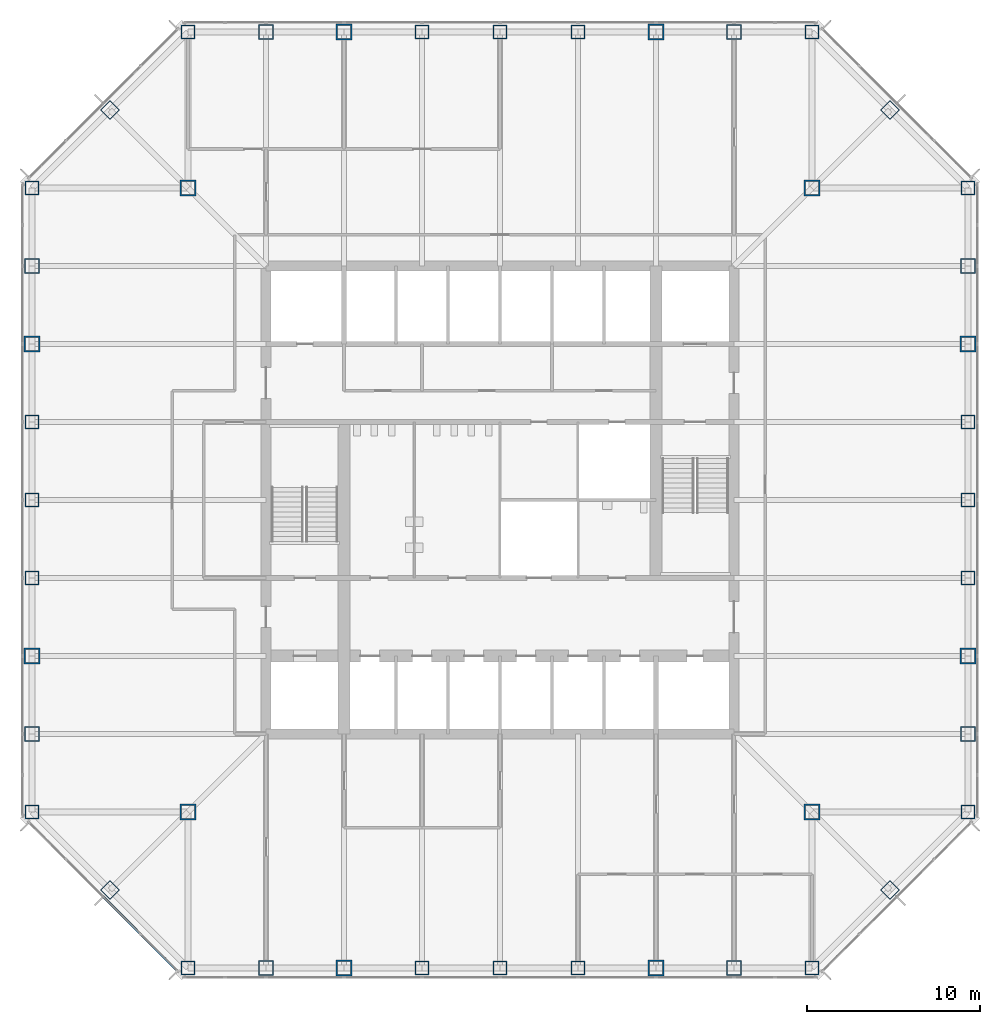
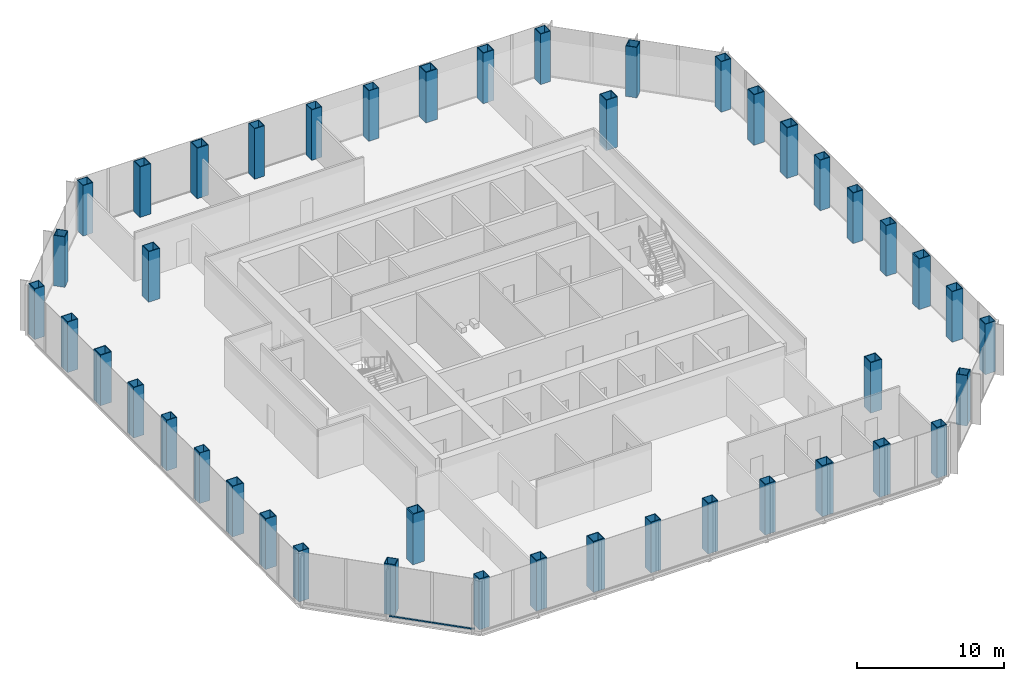
# One storey, part 1 of 12: 44 columns, 2 members, 1 element without a shape of its own.
"""IFC4 building model written with IfcOpenShell, lengths in metres."""

import ifcopenshell
import ifcopenshell.guid

model = None  # the IFC model being written
_history = None  # IfcOwnerHistory: only IFC2X3 demands one
_inside = {}  # id of a spatial element -> (the spatial element, [elements in it])
_under = {}  # id of a project, library or spatial element -> (it, [spatial elements below it])
_declared = {}  # id of a project -> (the project, [libraries it declares])
_typed = {}  # id of a type object -> (the type object, [elements of that type])
_made_of = {}  # id of a material, layer set ... -> (it, [elements and type objects made of it])


def new_model(schema):
    """Start an empty IFC model of exactly this schema.

    Asked for "IFC4X3", IfcOpenShell would pick the latest addendum, in which some entities
    have other attributes; the version numbers below select the first issue.
    IFC2X3 requires an IfcOwnerHistory on every rooted entity: one is made here for all.
    """
    global model, _history
    if schema == "IFC4X3":
        model = ifcopenshell.file(schema_version=(4, 3, 0, 0))
    else:
        model = ifcopenshell.file(schema=schema)
    _inside.clear()
    _under.clear()
    _declared.clear()
    _typed.clear()
    _made_of.clear()
    _history = None
    if model.schema == "IFC2X3":
        org = make("IfcOrganization", Name="unknown")
        user = make(
            "IfcPersonAndOrganization",
            ThePerson=make("IfcPerson", FamilyName="unknown"),
            TheOrganization=org,
        )
        app = make(
            "IfcApplication",
            ApplicationDeveloper=org,
            Version="unknown",
            ApplicationFullName="unknown",
            ApplicationIdentifier="unknown",
        )
        _history = make(
            "IfcOwnerHistory",
            OwningUser=user,
            OwningApplication=app,
            ChangeAction="ADDED",
            CreationDate=0,
        )
    return model


def make(cls, **values):
    """One entity of the class cls with the attributes given. An attribute that is None is left unset."""
    return model.create_entity(
        cls, **{name: value for name, value in values.items() if value is not None}
    )


def rooted(cls, **values):
    """An entity with a GlobalId (a new one), such as an element, a storey or a relation."""
    return make(cls, GlobalId=ifcopenshell.guid.new(), OwnerHistory=_history, **values)


def si_unit(unit_type, name, prefix=None):
    """IfcSIUnit, for example si_unit("LENGTHUNIT", "METRE", prefix="MILLI")."""
    return make("IfcSIUnit", UnitType=unit_type, Prefix=prefix, Name=name)


def assignment(units):
    """IfcUnitAssignment: the units of a project."""
    return None if units is None else make("IfcUnitAssignment", Units=units)


def point(xyz):
    """IfcCartesianPoint."""
    return None if xyz is None else make("IfcCartesianPoint", Coordinates=xyz)


def direction(xyz):
    """IfcDirection."""
    return None if xyz is None else make("IfcDirection", DirectionRatios=xyz)


def frame(location, z_axis=None, x_axis=None):
    """IfcAxis2Placement3D, a coordinate frame: its origin and axes. An axis left out is left unset."""
    return make(
        "IfcAxis2Placement3D",
        Location=point(location),
        Axis=direction(z_axis),
        RefDirection=direction(x_axis),
    )


def frame_2d(location, x_axis=None):
    """IfcAxis2Placement2D, a coordinate frame in the plane: its origin and x axis."""
    return make(
        "IfcAxis2Placement2D", Location=point(location), RefDirection=direction(x_axis)
    )


def origin():
    """The frame at (0, 0, 0) with its axes left unset."""
    return frame((0.0, 0.0, 0.0))


def origin_2d():
    """The frame at (0, 0) in the plane with its x axis left unset."""
    return frame_2d((0.0, 0.0))


def place(relative_to, where):
    """IfcLocalPlacement: puts the frame where relative to a parent placement (None: the world)."""
    return make(
        "IfcLocalPlacement", PlacementRelTo=relative_to, RelativePlacement=where
    )


def context(
    kind, dimensions, precision=None, world=None, true_north=None, identifier=None
):
    """IfcGeometricRepresentationContext, for example the 3D "Model" context."""
    return make(
        "IfcGeometricRepresentationContext",
        ContextIdentifier=identifier,
        ContextType=kind,
        CoordinateSpaceDimension=dimensions,
        Precision=precision,
        WorldCoordinateSystem=world,
        TrueNorth=true_north,
    )


def subcontext(parent, identifier, kind, view, scale=None):
    """IfcGeometricRepresentationSubContext, for example "Body" below "Model"."""
    return make(
        "IfcGeometricRepresentationSubContext",
        ContextIdentifier=identifier,
        ContextType=kind,
        ParentContext=parent,
        TargetScale=scale,
        TargetView=view,
    )


def project(units=None, contexts=None):
    """IfcProject with its units and contexts."""
    return rooted(
        "IfcProject",
        Name="project",
        RepresentationContexts=contexts,
        UnitsInContext=assignment(units),
    )


def spatial(cls, under=None, at=None, **own):
    """A site, building, storey or space (cls), placed at a placement, below another one or the project."""
    s = rooted(cls, ObjectPlacement=at, **own)
    if under is not None:
        _under.setdefault(under.id(), (under, []))[1].append(s)
    return s


def profile(cls, at=None, kind="AREA", **sizes):
    """A parametric profile (cls). Its sizes go by their IFC names, for example OverallWidth=200.0."""
    return make(cls, ProfileType=kind, Position=at, **sizes)


def rectangle(**sizes):
    """IfcRectangleProfileDef."""
    return profile("IfcRectangleProfileDef", **sizes)


def hollow_rectangle(**sizes):
    """IfcRectangleHollowProfileDef."""
    return profile("IfcRectangleHollowProfileDef", **sizes)


def extrude(swept, where, along, depth):
    """IfcExtrudedAreaSolid: the profile swept, set in the frame where, extruded along a direction by depth."""
    return make(
        "IfcExtrudedAreaSolid",
        SweptArea=swept,
        Position=where,
        ExtrudedDirection=direction(along),
        Depth=depth,
    )


def shape(context_of_items, identifier, shape_type, items):
    """IfcShapeRepresentation: the items that make up one representation, for example the "Body"."""
    return make(
        "IfcShapeRepresentation",
        ContextOfItems=context_of_items,
        RepresentationIdentifier=identifier,
        RepresentationType=shape_type,
        Items=items,
    )


def material(Name=None, Category=None):
    """IfcMaterial."""
    return make("IfcMaterial", Name=Name, Category=Category)


def material_profile(
    of_material, cross_section, Name=None, Category=None, Priority=None
):
    """IfcMaterialProfile: a cross section and its material."""
    return make(
        "IfcMaterialProfile",
        Name=Name,
        Material=of_material,
        Profile=cross_section,
        Priority=Priority,
        Category=Category,
    )


def profile_set(profiles, Name=None, composite=None):
    """IfcMaterialProfileSet."""
    return make(
        "IfcMaterialProfileSet",
        Name=Name,
        MaterialProfiles=profiles,
        CompositeProfile=composite,
    )


def made_of(thing, what):
    """Note that an element or type object is made of a material, layer set ...; save() writes the relation."""
    if what is not None:
        _made_of.setdefault(what.id(), (what, []))[1].append(thing)
    return thing


def type_object(cls, material=None, **own):
    """A type object (cls), such as IfcWallType, which elements share."""
    return made_of(rooted(cls, **own), material)


def element(
    cls,
    number,
    at=None,
    inside=None,
    cuts=None,
    type_object=None,
    material=None,
    context=None,
    identifier="Body",
    shape_type=None,
    held_by="IfcProductDefinitionShape",
    body=None,
    shapes=None,
    **own,
):
    """One element of the class cls, such as IfcWall. Its Tag is "e" and its number.

    at: its placement. inside: the storey or other place that contains it. cuts: it is an
    opening in that element (IfcRelVoidsElement). A single representation is given by context,
    identifier, shape_type and body (its items); several are given by shapes. held_by: the class
    of the entity that holds the representations. save() writes the other relations.
    """
    e = rooted(cls, Tag="e%d" % number, ObjectPlacement=at, **own)
    if body is not None:
        shapes = [shape(context, identifier, shape_type, body)]
    if shapes is not None:
        e.Representation = make(held_by, Representations=shapes)
    if inside is not None:
        _inside.setdefault(inside.id(), (inside, []))[1].append(e)
    if cuts is not None:
        rooted(
            "IfcRelVoidsElement", RelatingBuildingElement=cuts, RelatedOpeningElement=e
        )
    if type_object is not None:
        _typed.setdefault(type_object.id(), (type_object, []))[1].append(e)
    return made_of(e, material)


def aggregate(whole, parts):
    """IfcRelAggregates: a whole, such as a stair, and the parts it consists of."""
    return rooted("IfcRelAggregates", RelatingObject=whole, RelatedObjects=parts)


def save(model, path):
    """Write the relations noted so far, then the file.

    IfcRelAggregates (storeys below a building ...), IfcRelContainedInSpatialStructure (elements
    in a storey), IfcRelDefinesByType, IfcRelAssociatesMaterial and IfcRelDeclares: one each for
    every whole, place, type object, material and project.
    """
    for whole, parts in _under.values():
        aggregate(whole, parts)
    for where, things in _inside.values():
        rooted(
            "IfcRelContainedInSpatialStructure",
            RelatedElements=things,
            RelatingStructure=where,
        )
    for kind, things in _typed.values():
        rooted("IfcRelDefinesByType", RelatedObjects=things, RelatingType=kind)
    for what, things in _made_of.values():
        rooted("IfcRelAssociatesMaterial", RelatedObjects=things, RelatingMaterial=what)
    for by, libraries in _declared.values():
        rooted("IfcRelDeclares", RelatingContext=by, RelatedDefinitions=libraries)
    model.write(path)


model = new_model("IFC4")

# Units and contexts
model_context = context("Model", 3, precision=1e-05, world=origin(), true_north=direction((0.0, 1.0)))
body_context = subcontext(model_context, "Body", "Model", "MODEL_VIEW")
ifc_project = project(units=[si_unit("LENGTHUNIT", "METRE"), si_unit("AREAUNIT", "SQUARE_METRE"), si_unit("VOLUMEUNIT", "CUBIC_METRE"), si_unit("PLANEANGLEUNIT", "RADIAN"), si_unit("MASSUNIT", "GRAM", prefix="KILO")], contexts=[model_context])

# Site, building, storey
site_placement = place(None, origin())
site = spatial("IfcSite", under=ifc_project, at=site_placement, CompositionType="ELEMENT")
building_placement = place(site_placement, origin())
building = spatial("IfcBuilding", under=site, at=building_placement, Name="Corais Broadcast Tower", CompositionType="ELEMENT")
storey_placement = place(building_placement, frame((0.0, 0.0, 45.800048828125)))
storey = spatial("IfcBuildingStorey", under=building, at=storey_placement, Name="L09", CompositionType="ELEMENT", Elevation=45.800048828125)

# Columns
ifc_material_1 = material(Name="Steel ASTM A572 Grade 50", Category="steel")
ifc_material_profile_1 = material_profile(ifc_material_1, hollow_rectangle(XDim=0.800048828125, YDim=0.800048828125, WallThickness=0.044921875, at=origin_2d()), Name="BOX 800x800x45")
ifc_profile_set_1 = profile_set([ifc_material_profile_1], Name="Steel ASTM A572 Grade 50")
column_type_1 = type_object("IfcColumnType", Name="Column BOX 800x800x45", PredefinedType="COLUMN", material=ifc_profile_set_1)
for number, where, z_axis, x_axis, name in (
    (1, (9.0, 0.0, 0.0), (0.0, 0.0, 1.0), (1.0, 0.0, 0.0), "C3 A/5"),
    (2, (22.5, 0.0, 0.0), (0.0, 0.0, 1.0), (1.0, 0.0, 0.0), "C3 A/8"),
    (3, (27.0, 0.0, 0.0), (0.0, 0.0, 1.0), (1.0, 0.0, 0.0), "C3 A/9"),
    (4, (31.5, 0.0, 0.0), (0.0, 0.0, 1.0), (1.0, 0.0, 0.0), "C3 A/10"),
    (5, (45.0, 0.0, 0.0), (0.0, 0.0, 1.0), (1.0, 0.0, 0.0), "C3 A/13"),
    (6, (54.0, 9.0, 0.0), (0.0, 0.0, 1.0), (1.0, 0.0, 0.0), "C3 C/15"),
    (7, (54.0, 22.5, 0.0), (0.0, 0.0, 1.0), (1.0, 0.0, 0.0), "C3 F/15"),
    (8, (54.0, 27.0, 0.0), (0.0, 0.0, 1.0), (1.0, 0.0, 0.0), "C3 G/15"),
    (9, (54.0, 31.5, 0.0), (0.0, 0.0, 1.0), (1.0, 0.0, 0.0), "C3 H/15"),
    (10, (54.0, 45.0, 0.0), (0.0, 0.0, 1.0), (1.0, 0.0, 0.0), "C3 L/15"),
    (11, (45.0, 54.0, 0.0), (0.0, 0.0, 1.0), (1.0, 0.0, 0.0), "C3 N/13"),
    (12, (31.5, 54.0, 0.0), (0.0, 0.0, 1.0), (1.0, 0.0, 0.0), "C3 N/10"),
    (13, (27.0, 54.0, 0.0), (0.0, 0.0, 1.0), (1.0, 0.0, 0.0), "C3 N/9"),
    (14, (22.5, 54.0, 0.0), (0.0, 0.0, 1.0), (1.0, 0.0, 0.0), "C3 N/8"),
    (15, (9.0, 54.0, 0.0), (0.0, 0.0, 1.0), (1.0, 0.0, 0.0), "C3 N/5"),
    (16, (0.0, 45.0, 0.0), (0.0, 0.0, 1.0), (1.0, 0.0, 0.0), "C3 L/3"),
    (17, (0.0, 31.5, 0.0), (0.0, 0.0, 1.0), (1.0, 0.0, 0.0), "C3 H/3"),
    (18, (0.0, 27.0, 0.0), (0.0, 0.0, 1.0), (1.0, 0.0, 0.0), "C3 G/3"),
    (19, (0.0, 22.5, 0.0), (0.0, 0.0, 1.0), (1.0, 0.0, 0.0), "C3 F/3"),
    (20, (0.0, 9.0, 0.0), (0.0, 0.0, 1.0), (1.0, 0.0, 0.0), "C3 C/3"),
    (21, (4.5, 4.5, 0.0), (0.0, 0.0, 1.0), (0.707106781187, 0.707106781187, 0.0), "C3 B/4"),
    (22, (49.5, 4.5, 0.0), (0.0, 0.0, 1.0), (0.707106781187, 0.707106781187, 0.0), "C3 B/14"),
    (23, (49.5, 49.5, 0.0), (0.0, 0.0, 1.0), (0.707106781187, 0.707106781187, 0.0), "C3 M/14"),
    (24, (4.5, 49.5, 0.0), (0.0, 0.0, 1.0), (0.707106781187, 0.707106781187, 0.0), "C3 M/4"),
):
    element("IfcColumn", number, at=place(storey_placement, frame(where, z_axis=z_axis, x_axis=x_axis)), inside=storey, type_object=column_type_1, Name=name, PredefinedType="COLUMN", context=body_context, shape_type="SweptSolid", body=[
        extrude(hollow_rectangle(XDim=0.800048828125, YDim=0.800048828125, WallThickness=0.044921875, at=origin_2d()), origin(), (0.0, 0.0, 1.0), 4.199951171875),
    ])
ifc_material_2 = material(Name="Steel ASTM A572 Grade 50", Category="steel")
ifc_material_profile_2 = material_profile(ifc_material_2, hollow_rectangle(XDim=0.85009765625, YDim=0.85009765625, WallThickness=0.050048828125, at=origin_2d()), Name="BOX 850x850x50")
ifc_profile_set_2 = profile_set([ifc_material_profile_2], Name="Steel ASTM A572 Grade 50")
column_type_2 = type_object("IfcColumnType", Name="Column BOX 850x850x50", PredefinedType="COLUMN", material=ifc_profile_set_2)
for number, where, z_axis, x_axis, name in (
    (25, (13.5, 0.0, 0.0), (0.0, 0.0, 1.0), (1.0, 0.0, 0.0), "C1 A/6"),
    (26, (40.5, 0.0, 0.0), (0.0, 0.0, 1.0), (1.0, 0.0, 0.0), "C1 A/12"),
    (27, (54.0, 13.5, 0.0), (0.0, 0.0, 1.0), (1.0, 0.0, 0.0), "C1 D/15"),
    (28, (54.0, 40.5, 0.0), (0.0, 0.0, 1.0), (1.0, 0.0, 0.0), "C1 K/15"),
    (29, (40.5, 54.0, 0.0), (0.0, 0.0, 1.0), (1.0, 0.0, 0.0), "C1 N/12"),
    (30, (13.5, 54.0, 0.0), (0.0, 0.0, 1.0), (1.0, 0.0, 0.0), "C1 N/6"),
    (31, (0.0, 40.5, 0.0), (0.0, 0.0, 1.0), (1.0, 0.0, 0.0), "C1 K/3"),
    (32, (0.0, 13.5, 0.0), (0.0, 0.0, 1.0), (1.0, 0.0, 0.0), "C1 D/3"),
):
    element("IfcColumn", number, at=place(storey_placement, frame(where, z_axis=z_axis, x_axis=x_axis)), inside=storey, type_object=column_type_2, Name=name, PredefinedType="COLUMN", context=body_context, shape_type="SweptSolid", body=[
        extrude(hollow_rectangle(XDim=0.85009765625, YDim=0.85009765625, WallThickness=0.050048828125, at=origin_2d()), origin(), (0.0, 0.0, 1.0), 4.199951171875),
    ])
ifc_material_3 = material(Name="Steel ASTM A572 Grade 50", Category="steel")
ifc_material_profile_3 = material_profile(ifc_material_3, hollow_rectangle(XDim=0.89990234375, YDim=0.89990234375, WallThickness=0.06298828125, at=origin_2d()), Name="BOX 900x900x63")
ifc_profile_set_3 = profile_set([ifc_material_profile_3], Name="Steel ASTM A572 Grade 50")
column_type_3 = type_object("IfcColumnType", Name="Column BOX 900x900x63", PredefinedType="COLUMN", material=ifc_profile_set_3)
for number, where, z_axis, x_axis, name in (
    (33, (18.0, 0.0, 0.0), (0.0, 0.0, 1.0), (1.0, 0.0, 0.0), "C2 A/7"),
    (34, (36.0, 0.0, 0.0), (0.0, 0.0, 1.0), (1.0, 0.0, 0.0), "C2 A/11"),
    (35, (54.0, 18.0, 0.0), (0.0, 0.0, 1.0), (1.0, 0.0, 0.0), "C2 E/15"),
    (36, (54.0, 36.0, 0.0), (0.0, 0.0, 1.0), (1.0, 0.0, 0.0), "C2 J/15"),
    (37, (36.0, 54.0, 0.0), (0.0, 0.0, 1.0), (1.0, 0.0, 0.0), "C2 N/11"),
    (38, (18.0, 54.0, 0.0), (0.0, 0.0, 1.0), (1.0, 0.0, 0.0), "C2 N/7"),
    (39, (0.0, 36.0, 0.0), (0.0, 0.0, 1.0), (1.0, 0.0, 0.0), "C2 J/3"),
    (40, (0.0, 18.0, 0.0), (0.0, 0.0, 1.0), (1.0, 0.0, 0.0), "C2 E/3"),
    (41, (9.0, 9.0, 0.0), (0.0, 0.0, 1.0), (1.0, 0.0, 0.0), "C2 C/5"),
    (42, (45.0, 9.0, 0.0), (0.0, 0.0, 1.0), (1.0, 0.0, 0.0), "C2 C/13"),
    (43, (45.0, 45.0, 0.0), (0.0, 0.0, 1.0), (1.0, 0.0, 0.0), "C2 L/13"),
    (44, (9.0, 45.0, 0.0), (0.0, 0.0, 1.0), (1.0, 0.0, 0.0), "C2 L/5"),
):
    element("IfcColumn", number, at=place(storey_placement, frame(where, z_axis=z_axis, x_axis=x_axis)), inside=storey, type_object=column_type_3, Name=name, PredefinedType="COLUMN", context=body_context, shape_type="SweptSolid", body=[
        extrude(hollow_rectangle(XDim=0.89990234375, YDim=0.89990234375, WallThickness=0.06298828125, at=origin_2d()), origin(), (0.0, 0.0, 1.0), 4.199951171875),
    ])

# Curtain wall, members
ifc_material_4 = material(Name="Aluminium and glass", Category="aluminium")
curtain_wall_type = type_object("IfcCurtainWallType", Name="Unitised fritted curtain wall CW1", PredefinedType="NOTDEFINED", material=ifc_material_4)
curtain_wall_placement = place(storey_placement, origin())
curtain_wall = element("IfcCurtainWall", 45, at=curtain_wall_placement, inside=storey, type_object=curtain_wall_type, Name="CW1 curtain wall L09 1", PredefinedType="NOTDEFINED")
ifc_material_5 = material(Name="Aluminium 6063-T6", Category="aluminium")
ifc_material_profile_4 = material_profile(ifc_material_5, rectangle(XDim=0.139892578125, YDim=0.06494140625, at=origin_2d()), Name="Transom CW1 65x140")
ifc_profile_set_4 = profile_set([ifc_material_profile_4], Name="Aluminium 6063-T6")
member_type = type_object("IfcMemberType", Name="Transom CW1 65x140", PredefinedType="USERDEFINED", material=ifc_profile_set_4)
member_1_placement = place(storey_placement, frame((8.37255859375, -0.150390625, 0.032470703125), z_axis=(-0.707106781187, 0.707106781187, 0.0), x_axis=(-0.707106781187, -0.707106781187, 0.0)))
member_1 = element("IfcMember", 46, at=member_1_placement, type_object=member_type, Name="CW1 transom 1.1", ObjectType="TRANSOM", PredefinedType="USERDEFINED", context=body_context, shape_type="SweptSolid", body=[
    extrude(rectangle(XDim=0.139892578125, YDim=0.06494140625, at=origin_2d()), origin(), (0.0, 0.0, 1.0), 2.9482421875),
])
member_2_placement = place(storey_placement, frame((6.241943359375, 1.980224609375, 0.032470703125), z_axis=(-0.707106781187, 0.707106781187, 0.0), x_axis=(-0.707106781187, -0.707106781187, 0.0)))
member_2 = element("IfcMember", 47, at=member_2_placement, type_object=member_type, Name="CW1 transom 2.1", ObjectType="TRANSOM", PredefinedType="USERDEFINED", context=body_context, shape_type="SweptSolid", body=[
    extrude(rectangle(XDim=0.139892578125, YDim=0.06494140625, at=origin_2d()), origin(), (0.0, 0.0, 1.0), 2.98095703125),
])
aggregate(curtain_wall, [member_1, member_2])

save(model, "model.ifc")
